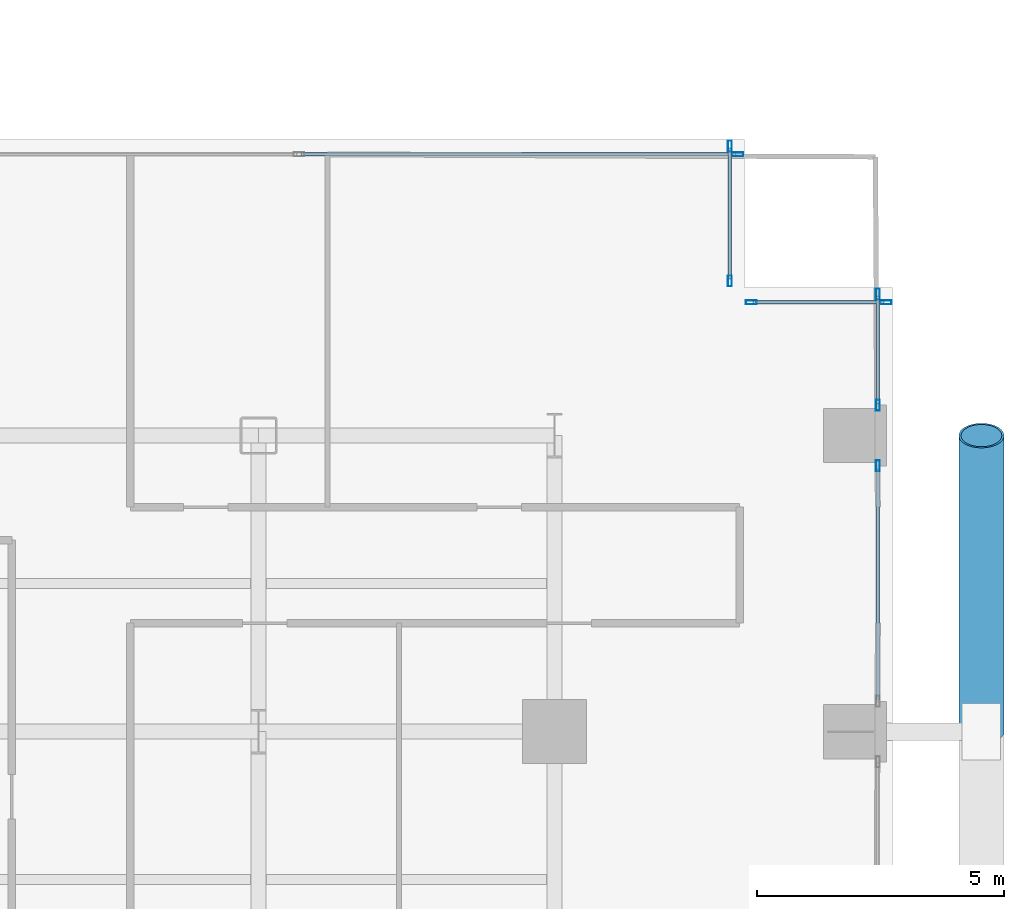
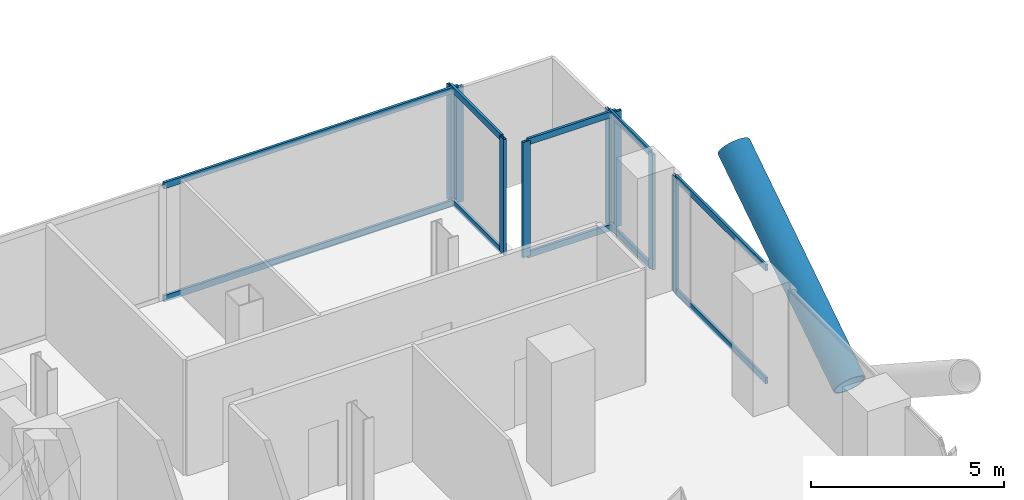
# One storey, part 12 of 25: 19 members, 5 elements without a shape of their own.
"""IFC4 building model written with IfcOpenShell, lengths in metres."""

from ifc_helpers import new_model, si_unit, direction, frame, origin, origin_2d, place, context, subcontext, project, spatial, hollow_rectangle, hollow_circle, extrude, material, layer, layer_set, material_profile, profile_set, type_object, element, aggregate, save


model = new_model("IFC4")

# Units and contexts
model_context = context("Model", 3, precision=1e-05, world=origin(), true_north=direction((0.0, 1.0)))
body_context = subcontext(model_context, "Body", "Model", "MODEL_VIEW")
ifc_project = project(units=[si_unit("LENGTHUNIT", "METRE"), si_unit("AREAUNIT", "SQUARE_METRE"), si_unit("VOLUMEUNIT", "CUBIC_METRE"), si_unit("PLANEANGLEUNIT", "RADIAN"), si_unit("MASSUNIT", "GRAM", prefix="KILO"), si_unit("THERMODYNAMICTEMPERATUREUNIT", "KELVIN"), si_unit("POWERUNIT", "WATT")], contexts=[model_context])

# Site, building, storey
site_placement = place(None, origin())
site = spatial("IfcSite", under=ifc_project, at=site_placement, CompositionType="ELEMENT")
building_placement = place(site_placement, origin())
building = spatial("IfcBuilding", under=site, at=building_placement, Name="Svarakhadi Broadcast Tower", CompositionType="ELEMENT")
storey_placement = place(building_placement, frame((0.0, 0.0, 36.300048828125)))
storey = spatial("IfcBuildingStorey", under=building, at=storey_placement, Name="L07", CompositionType="ELEMENT", Elevation=36.300048828125)

# Curtain wall, member
ifc_material_1 = material(Name="Anodised Bronze Aluminium AA 6063-T6", Category="aluminium")
ifc_layer = layer(ifc_material_1, 0.219970703125)
ifc_layer_set = layer_set([ifc_layer], Name="Anodised Bronze Aluminium AA 6063-T6")
curtain_wall_type = type_object("IfcCurtainWallType", Name="CW_Sys_02", PredefinedType="NOTDEFINED", material=ifc_layer_set)
curtain_wall_1_placement = place(storey_placement, origin())
curtain_wall_1 = element("IfcCurtainWall", 1, at=curtain_wall_1_placement, inside=storey, type_object=curtain_wall_type, Name="L07 Unitised Facade Curtain Wall 10", PredefinedType="NOTDEFINED")
ifc_material_profile_1 = material_profile(ifc_material_1, hollow_rectangle(XDim=0.0849609375, YDim=0.219970703125, WallThickness=0.006103515625, at=origin_2d()), Name="ALU MULLION 220x85x6")
ifc_profile_set_1 = profile_set([ifc_material_profile_1], Name="Anodised Bronze Aluminium AA 6063-T6")
member_type_1 = type_object("IfcMemberType", Name="CW_Sys_02_Mul", PredefinedType="MULLION", material=ifc_profile_set_1)
member_1_placement = place(storey_placement, frame((50.867431640625, 23.699951171875, 0.0), z_axis=(0.0, 0.0, 1.0), x_axis=(0.0, 1.0, 0.0)))
member_1 = element("IfcMember", 2, at=member_1_placement, type_object=member_type_1, Name="CW-02 mullion 4", PredefinedType="MULLION", context=body_context, shape_type="SweptSolid", body=[
    extrude(hollow_rectangle(XDim=0.0849609375, YDim=0.219970703125, WallThickness=0.006103515625, at=origin_2d()), origin(), (0.0, 0.0, 1.0), 3.64990234375),
])

# Curtain wall, members
curtain_wall_2_placement = place(storey_placement, origin())
curtain_wall_2 = element("IfcCurtainWall", 3, at=curtain_wall_2_placement, inside=storey, type_object=curtain_wall_type, Name="L07 Unitised Facade Curtain Wall 11", PredefinedType="NOTDEFINED")
member_2_placement = place(storey_placement, frame((50.699951171875, 23.867431640625, 0.0), z_axis=(0.0, 0.0, 1.0), x_axis=(1.0, 0.0, 0.0)))
member_2 = element("IfcMember", 4, at=member_2_placement, type_object=member_type_1, Name="CW-02 mullion 1", PredefinedType="MULLION", context=body_context, shape_type="SweptSolid", body=[
    extrude(hollow_rectangle(XDim=0.0849609375, YDim=0.219970703125, WallThickness=0.006103515625, at=origin_2d()), origin(), (0.0, 0.0, 1.0), 3.64990234375),
])
member_3_placement = place(storey_placement, frame((50.699951171875, 21.132568359375, 0.0), z_axis=(0.0, 0.0, 1.0), x_axis=(1.0, 0.0, 0.0)))
member_3 = element("IfcMember", 5, at=member_3_placement, type_object=member_type_1, Name="CW-02 mullion 2", PredefinedType="MULLION", context=body_context, shape_type="SweptSolid", body=[
    extrude(hollow_rectangle(XDim=0.0849609375, YDim=0.219970703125, WallThickness=0.006103515625, at=origin_2d()), origin(), (0.0, 0.0, 1.0), 3.64990234375),
])

curtain_wall_3_placement = place(storey_placement, origin())
curtain_wall_3 = element("IfcCurtainWall", 6, at=curtain_wall_3_placement, inside=storey, type_object=curtain_wall_type, Name="L07 Unitised Facade Curtain Wall 12", PredefinedType="NOTDEFINED")
member_4_placement = place(storey_placement, frame((51.132568359375, 20.699951171875, 0.0), z_axis=(0.0, 0.0, 1.0), x_axis=(0.0, 1.0, 0.0)))
member_4 = element("IfcMember", 7, at=member_4_placement, type_object=member_type_1, Name="CW-02 mullion 1", PredefinedType="MULLION", context=body_context, shape_type="SweptSolid", body=[
    extrude(hollow_rectangle(XDim=0.0849609375, YDim=0.219970703125, WallThickness=0.006103515625, at=origin_2d()), origin(), (0.0, 0.0, 1.0), 3.64990234375),
])
member_5_placement = place(storey_placement, frame((53.867431640625, 20.699951171875, 0.0), z_axis=(0.0, 0.0, 1.0), x_axis=(0.0, 1.0, 0.0)))
member_5 = element("IfcMember", 8, at=member_5_placement, type_object=member_type_1, Name="CW-02 mullion 2", PredefinedType="MULLION", context=body_context, shape_type="SweptSolid", body=[
    extrude(hollow_rectangle(XDim=0.0849609375, YDim=0.219970703125, WallThickness=0.006103515625, at=origin_2d()), origin(), (0.0, 0.0, 1.0), 3.64990234375),
])

curtain_wall_4_placement = place(storey_placement, origin())
curtain_wall_4 = element("IfcCurtainWall", 9, at=curtain_wall_4_placement, inside=storey, type_object=curtain_wall_type, Name="L07 Unitised Facade Curtain Wall 13 Bay 1", PredefinedType="NOTDEFINED")
member_6_placement = place(storey_placement, frame((53.699951171875, 20.867431640625, 0.0), z_axis=(0.0, 0.0, 1.0), x_axis=(1.0, 0.0, 0.0)))
member_6 = element("IfcMember", 10, at=member_6_placement, type_object=member_type_1, Name="CW-02 mullion 1", PredefinedType="MULLION", context=body_context, shape_type="SweptSolid", body=[
    extrude(hollow_rectangle(XDim=0.0849609375, YDim=0.219970703125, WallThickness=0.006103515625, at=origin_2d()), origin(), (0.0, 0.0, 1.0), 3.64990234375),
])
member_7_placement = place(storey_placement, frame((53.699951171875, 18.612548828125, 0.0), z_axis=(0.0, 0.0, 1.0), x_axis=(1.0, 0.0, 0.0)))
member_7 = element("IfcMember", 11, at=member_7_placement, type_object=member_type_1, Name="CW-02 mullion 2", PredefinedType="MULLION", context=body_context, shape_type="SweptSolid", body=[
    extrude(hollow_rectangle(XDim=0.0849609375, YDim=0.219970703125, WallThickness=0.006103515625, at=origin_2d()), origin(), (0.0, 0.0, 1.0), 3.64990234375),
])

# Curtain wall, member
curtain_wall_5_placement = place(storey_placement, origin())
curtain_wall_5 = element("IfcCurtainWall", 12, at=curtain_wall_5_placement, inside=storey, type_object=curtain_wall_type, Name="L07 Unitised Facade Curtain Wall 13 Bay 2", PredefinedType="NOTDEFINED")
member_8_placement = place(storey_placement, frame((53.699951171875, 17.387451171875, 0.0), z_axis=(0.0, 0.0, 1.0), x_axis=(1.0, 0.0, 0.0)))
member_8 = element("IfcMember", 13, at=member_8_placement, type_object=member_type_1, Name="CW-02 mullion 1", PredefinedType="MULLION", context=body_context, shape_type="SweptSolid", body=[
    extrude(hollow_rectangle(XDim=0.0849609375, YDim=0.219970703125, WallThickness=0.006103515625, at=origin_2d()), origin(), (0.0, 0.0, 1.0), 3.64990234375),
])

# Member
ifc_material_profile_2 = material_profile(ifc_material_1, hollow_rectangle(XDim=0.074951171875, YDim=0.199951171875, WallThickness=0.0048828125, at=origin_2d()), Name="ALU TRANSOM 200x75x5")
ifc_profile_set_2 = profile_set([ifc_material_profile_2], Name="Anodised Bronze Aluminium AA 6063-T6")
member_type_2 = type_object("IfcMemberType", Name="CW_Sys_02_Trn", PredefinedType="USERDEFINED", material=ifc_profile_set_2)
member_9_placement = place(storey_placement, frame((42.012451171875, 23.699951171875, 0.037353515625), z_axis=(1.0, 0.0, 0.0), x_axis=(0.0, 1.0, 0.0)))
member_9 = element("IfcMember", 14, at=member_9_placement, type_object=member_type_2, Name="CW-02 transom 3.1", ObjectType="TRANSOM", PredefinedType="USERDEFINED", context=body_context, shape_type="SweptSolid", body=[
    extrude(hollow_rectangle(XDim=0.074951171875, YDim=0.199951171875, WallThickness=0.0048828125, at=origin_2d()), origin(), (0.0, 0.0, 1.0), 8.8125),
])

member_10_placement = place(storey_placement, frame((42.012451171875, 23.699951171875, 3.612548828125), z_axis=(1.0, 0.0, 0.0), x_axis=(0.0, 1.0, 0.0)))
member_10 = element("IfcMember", 15, at=member_10_placement, type_object=member_type_2, Name="CW-02 transom 3.2", ObjectType="TRANSOM", PredefinedType="USERDEFINED", context=body_context, shape_type="SweptSolid", body=[
    extrude(hollow_rectangle(XDim=0.074951171875, YDim=0.199951171875, WallThickness=0.0048828125, at=origin_2d()), origin(), (0.0, 0.0, 1.0), 8.8125),
])

aggregate(curtain_wall_1, [member_1, member_9, member_10])

member_11_placement = place(storey_placement, frame((50.699951171875, 23.824951171875, 0.037353515625), z_axis=(0.0, -1.0, 0.0), x_axis=(1.0, 0.0, 0.0)))
member_11 = element("IfcMember", 16, at=member_11_placement, type_object=member_type_2, Name="CW-02 transom 1.1", ObjectType="TRANSOM", PredefinedType="USERDEFINED", context=body_context, shape_type="SweptSolid", body=[
    extrude(hollow_rectangle(XDim=0.074951171875, YDim=0.199951171875, WallThickness=0.0048828125, at=origin_2d()), origin(), (0.0, 0.0, 1.0), 2.64990234375),
])

member_12_placement = place(storey_placement, frame((50.699951171875, 23.824951171875, 3.612548828125), z_axis=(0.0, -1.0, 0.0), x_axis=(1.0, 0.0, 0.0)))
member_12 = element("IfcMember", 17, at=member_12_placement, type_object=member_type_2, Name="CW-02 transom 1.2", ObjectType="TRANSOM", PredefinedType="USERDEFINED", context=body_context, shape_type="SweptSolid", body=[
    extrude(hollow_rectangle(XDim=0.074951171875, YDim=0.199951171875, WallThickness=0.0048828125, at=origin_2d()), origin(), (0.0, 0.0, 1.0), 2.64990234375),
])

aggregate(curtain_wall_2, [member_2, member_3, member_11, member_12])

member_13_placement = place(storey_placement, frame((51.175048828125, 20.699951171875, 0.037353515625), z_axis=(1.0, 0.0, 0.0), x_axis=(0.0, 1.0, 0.0)))
member_13 = element("IfcMember", 18, at=member_13_placement, type_object=member_type_2, Name="CW-02 transom 1.1", ObjectType="TRANSOM", PredefinedType="USERDEFINED", context=body_context, shape_type="SweptSolid", body=[
    extrude(hollow_rectangle(XDim=0.074951171875, YDim=0.199951171875, WallThickness=0.0048828125, at=origin_2d()), origin(), (0.0, 0.0, 1.0), 2.64990234375),
])

member_14_placement = place(storey_placement, frame((51.175048828125, 20.699951171875, 3.612548828125), z_axis=(1.0, 0.0, 0.0), x_axis=(0.0, 1.0, 0.0)))
member_14 = element("IfcMember", 19, at=member_14_placement, type_object=member_type_2, Name="CW-02 transom 1.2", ObjectType="TRANSOM", PredefinedType="USERDEFINED", context=body_context, shape_type="SweptSolid", body=[
    extrude(hollow_rectangle(XDim=0.074951171875, YDim=0.199951171875, WallThickness=0.0048828125, at=origin_2d()), origin(), (0.0, 0.0, 1.0), 2.64990234375),
])

aggregate(curtain_wall_3, [member_4, member_5, member_13, member_14])

member_15_placement = place(storey_placement, frame((53.699951171875, 20.824951171875, 0.037353515625), z_axis=(0.0, -1.0, 0.0), x_axis=(1.0, 0.0, 0.0)))
member_15 = element("IfcMember", 20, at=member_15_placement, type_object=member_type_2, Name="CW-02 transom 1.1", ObjectType="TRANSOM", PredefinedType="USERDEFINED", context=body_context, shape_type="SweptSolid", body=[
    extrude(hollow_rectangle(XDim=0.074951171875, YDim=0.199951171875, WallThickness=0.0048828125, at=origin_2d()), origin(), (0.0, 0.0, 1.0), 2.169921875),
])

member_16_placement = place(storey_placement, frame((53.699951171875, 20.824951171875, 3.612548828125), z_axis=(0.0, -1.0, 0.0), x_axis=(1.0, 0.0, 0.0)))
member_16 = element("IfcMember", 21, at=member_16_placement, type_object=member_type_2, Name="CW-02 transom 1.2", ObjectType="TRANSOM", PredefinedType="USERDEFINED", context=body_context, shape_type="SweptSolid", body=[
    extrude(hollow_rectangle(XDim=0.074951171875, YDim=0.199951171875, WallThickness=0.0048828125, at=origin_2d()), origin(), (0.0, 0.0, 1.0), 2.169921875),
])

aggregate(curtain_wall_4, [member_6, member_7, member_15, member_16])

member_17_placement = place(storey_placement, frame((53.699951171875, 17.344970703125, 0.037353515625), z_axis=(0.0, -1.0, 0.0), x_axis=(1.0, 0.0, 0.0)))
member_17 = element("IfcMember", 22, at=member_17_placement, type_object=member_type_2, Name="CW-02 transom 1.1", ObjectType="TRANSOM", PredefinedType="USERDEFINED", context=body_context, shape_type="SweptSolid", body=[
    extrude(hollow_rectangle(XDim=0.074951171875, YDim=0.199951171875, WallThickness=0.0048828125, at=origin_2d()), origin(), (0.0, 0.0, 1.0), 4.68994140625),
])

member_18_placement = place(storey_placement, frame((53.699951171875, 17.344970703125, 3.612548828125), z_axis=(0.0, -1.0, 0.0), x_axis=(1.0, 0.0, 0.0)))
member_18 = element("IfcMember", 23, at=member_18_placement, type_object=member_type_2, Name="CW-02 transom 1.2", ObjectType="TRANSOM", PredefinedType="USERDEFINED", context=body_context, shape_type="SweptSolid", body=[
    extrude(hollow_rectangle(XDim=0.074951171875, YDim=0.199951171875, WallThickness=0.0048828125, at=origin_2d()), origin(), (0.0, 0.0, 1.0), 4.68994140625),
])

aggregate(curtain_wall_5, [member_8, member_17, member_18])

ifc_material_2 = material(Name="Steel S460ML (IS 2062 E450BR)", Category="steel")
ifc_material_profile_3 = material_profile(ifc_material_2, hollow_circle(Radius=0.45703125, WallThickness=0.044921875, at=origin_2d()), Name="CHS 914x45")
ifc_profile_set_3 = profile_set([ifc_material_profile_3], Name="Steel S460ML (IS 2062 E450BR)")
member_type_3 = type_object("IfcMemberType", Name="Exo_Brace_CHS914", PredefinedType="BRACE", material=ifc_profile_set_3)
member_19_placement = place(storey_placement, frame((55.800048828125, 12.0, -0.427734375), z_axis=(0.0, 0.838449851971, 0.544978757136), x_axis=(-1.0, 0.0, 0.0)))
element("IfcMember", 24, at=member_19_placement, inside=storey, type_object=member_type_3, Name="L07 Exposed Bronze Exoskeleton Diagonal E09", PredefinedType="BRACE", context=body_context, shape_type="SweptSolid", body=[
    extrude(hollow_circle(Radius=0.45703125, WallThickness=0.044921875, at=origin_2d()), origin(), (0.0, 0.0, 1.0), 7.156005859375),
])

save(model, "model.ifc")
